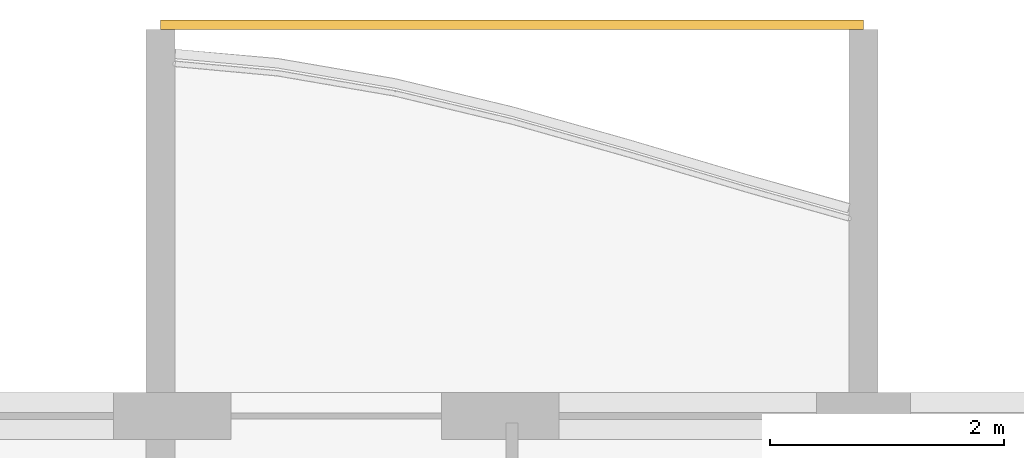
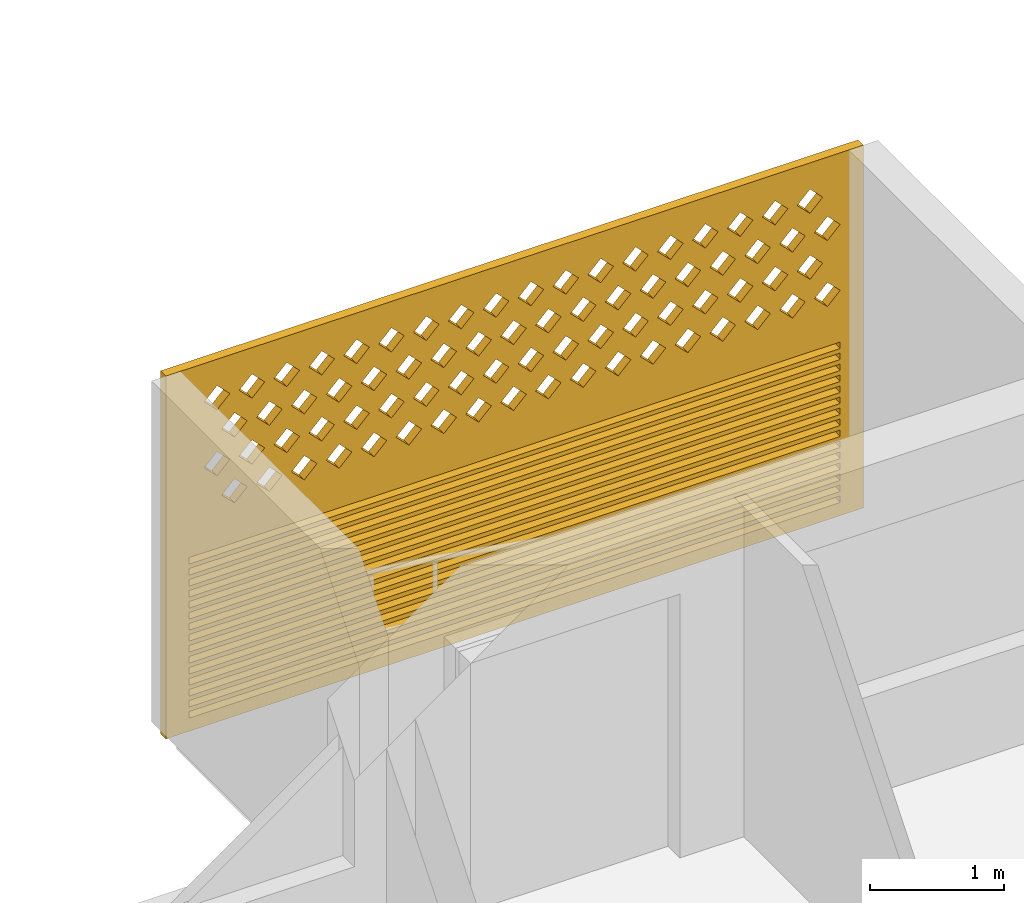
# One storey, part 25 of 27: 1 covering.
"""IFC4 building model written with IfcOpenShell, lengths in metres."""

from ifc_helpers import new_model, si_unit, direction, frame, origin, place, context, subcontext, project, spatial, polyline, outline, extrude, source, transform, mapped, material, material_profile, profile_set, type_object, element, save


model = new_model("IFC4")

# Units and contexts
model_context = context("Model", 3, precision=1e-05, world=origin(), true_north=direction((0.0, 1.0)))
body_context = subcontext(model_context, "Body", "Model", "MODEL_VIEW")
ifc_project = project(units=[si_unit("LENGTHUNIT", "METRE"), si_unit("AREAUNIT", "SQUARE_METRE"), si_unit("VOLUMEUNIT", "CUBIC_METRE"), si_unit("PLANEANGLEUNIT", "RADIAN"), si_unit("MASSUNIT", "GRAM", prefix="KILO")], contexts=[model_context])

# Site, building, storey
site_placement = place(None, origin())
site = spatial("IfcSite", under=ifc_project, at=site_placement, CompositionType="ELEMENT")
building_placement = place(site_placement, origin())
building = spatial("IfcBuilding", under=site, at=building_placement, Name="Poui Terraces", CompositionType="ELEMENT")
storey_placement = place(building_placement, frame((0.0, 0.0, 208.199951171875)))
storey = spatial("IfcBuildingStorey", under=building, at=storey_placement, Name="L58", CompositionType="ELEMENT", Elevation=208.199951171875)

# Covering
ifc_material = material(Name="Terracotta screen", Category="masonry")
ifc_material_profile = material_profile(ifc_material, outline(polyline([(-3.0, -1.64990234375), (3.0, -1.64990234375), (3.0, 1.64990234375), (-3.0, 1.64990234375), (-3.0, -1.64990234375)]), holes=[polyline([(-2.800048828125, 0.39990234375), (-2.68994140625, 0.2900390625), (-2.580078125, 0.39990234375), (-2.68994140625, 0.510009765625), (-2.800048828125, 0.39990234375)]), polyline([(-2.5, 0.39990234375), (-2.389892578125, 0.2900390625), (-2.280029296875, 0.39990234375), (-2.389892578125, 0.510009765625), (-2.5, 0.39990234375)]), polyline([(-2.199951171875, 0.39990234375), (-2.090087890625, 0.2900390625), (-1.97998046875, 0.39990234375), (-2.090087890625, 0.510009765625), (-2.199951171875, 0.39990234375)]), polyline([(-1.89990234375, 0.39990234375), (-1.7900390625, 0.2900390625), (-1.679931640625, 0.39990234375), (-1.7900390625, 0.510009765625), (-1.89990234375, 0.39990234375)]), polyline([(-1.60009765625, 0.39990234375), (-1.489990234375, 0.2900390625), (-1.3798828125, 0.39990234375), (-1.489990234375, 0.510009765625), (-1.60009765625, 0.39990234375)]), polyline([(-1.300048828125, 0.39990234375), (-1.18994140625, 0.2900390625), (-1.080078125, 0.39990234375), (-1.18994140625, 0.510009765625), (-1.300048828125, 0.39990234375)]), polyline([(-1.0, 0.39990234375), (-0.889892578125, 0.2900390625), (-0.780029296875, 0.39990234375), (-0.889892578125, 0.510009765625), (-1.0, 0.39990234375)]), polyline([(-0.699951171875, 0.39990234375), (-0.590087890625, 0.2900390625), (-0.47998046875, 0.39990234375), (-0.590087890625, 0.510009765625), (-0.699951171875, 0.39990234375)]), polyline([(-0.39990234375, 0.39990234375), (-0.2900390625, 0.2900390625), (-0.179931640625, 0.39990234375), (-0.2900390625, 0.510009765625), (-0.39990234375, 0.39990234375)]), polyline([(-0.10009765625, 0.39990234375), (0.010009765625, 0.2900390625), (0.1201171875, 0.39990234375), (0.010009765625, 0.510009765625), (-0.10009765625, 0.39990234375)]), polyline([(0.199951171875, 0.39990234375), (0.31005859375, 0.2900390625), (0.419921875, 0.39990234375), (0.31005859375, 0.510009765625), (0.199951171875, 0.39990234375)]), polyline([(0.5, 0.39990234375), (0.610107421875, 0.2900390625), (0.719970703125, 0.39990234375), (0.610107421875, 0.510009765625), (0.5, 0.39990234375)]), polyline([(0.800048828125, 0.39990234375), (0.909912109375, 0.2900390625), (1.02001953125, 0.39990234375), (0.909912109375, 0.510009765625), (0.800048828125, 0.39990234375)]), polyline([(1.10009765625, 0.39990234375), (1.2099609375, 0.2900390625), (1.320068359375, 0.39990234375), (1.2099609375, 0.510009765625), (1.10009765625, 0.39990234375)]), polyline([(1.39990234375, 0.39990234375), (1.510009765625, 0.2900390625), (1.6201171875, 0.39990234375), (1.510009765625, 0.510009765625), (1.39990234375, 0.39990234375)]), polyline([(1.699951171875, 0.39990234375), (1.81005859375, 0.2900390625), (1.919921875, 0.39990234375), (1.81005859375, 0.510009765625), (1.699951171875, 0.39990234375)]), polyline([(2.0, 0.39990234375), (2.110107421875, 0.2900390625), (2.219970703125, 0.39990234375), (2.110107421875, 0.510009765625), (2.0, 0.39990234375)]), polyline([(2.300048828125, 0.39990234375), (2.409912109375, 0.2900390625), (2.52001953125, 0.39990234375), (2.409912109375, 0.510009765625), (2.300048828125, 0.39990234375)]), polyline([(-2.64990234375, 0.699951171875), (-2.5400390625, 0.590087890625), (-2.429931640625, 0.699951171875), (-2.5400390625, 0.81005859375), (-2.64990234375, 0.699951171875)]), polyline([(-2.35009765625, 0.699951171875), (-2.239990234375, 0.590087890625), (-2.1298828125, 0.699951171875), (-2.239990234375, 0.81005859375), (-2.35009765625, 0.699951171875)]), polyline([(-2.050048828125, 0.699951171875), (-1.93994140625, 0.590087890625), (-1.830078125, 0.699951171875), (-1.93994140625, 0.81005859375), (-2.050048828125, 0.699951171875)]), polyline([(-1.75, 0.699951171875), (-1.639892578125, 0.590087890625), (-1.530029296875, 0.699951171875), (-1.639892578125, 0.81005859375), (-1.75, 0.699951171875)]), polyline([(-1.449951171875, 0.699951171875), (-1.340087890625, 0.590087890625), (-1.22998046875, 0.699951171875), (-1.340087890625, 0.81005859375), (-1.449951171875, 0.699951171875)]), polyline([(-1.14990234375, 0.699951171875), (-1.0400390625, 0.590087890625), (-0.929931640625, 0.699951171875), (-1.0400390625, 0.81005859375), (-1.14990234375, 0.699951171875)]), polyline([(-0.85009765625, 0.699951171875), (-0.739990234375, 0.590087890625), (-0.6298828125, 0.699951171875), (-0.739990234375, 0.81005859375), (-0.85009765625, 0.699951171875)]), polyline([(-0.550048828125, 0.699951171875), (-0.43994140625, 0.590087890625), (-0.330078125, 0.699951171875), (-0.43994140625, 0.81005859375), (-0.550048828125, 0.699951171875)]), polyline([(-0.25, 0.699951171875), (-0.139892578125, 0.590087890625), (-0.030029296875, 0.699951171875), (-0.139892578125, 0.81005859375), (-0.25, 0.699951171875)]), polyline([(0.050048828125, 0.699951171875), (0.159912109375, 0.590087890625), (0.27001953125, 0.699951171875), (0.159912109375, 0.81005859375), (0.050048828125, 0.699951171875)]), polyline([(0.35009765625, 0.699951171875), (0.4599609375, 0.590087890625), (0.570068359375, 0.699951171875), (0.4599609375, 0.81005859375), (0.35009765625, 0.699951171875)]), polyline([(0.64990234375, 0.699951171875), (0.760009765625, 0.590087890625), (0.8701171875, 0.699951171875), (0.760009765625, 0.81005859375), (0.64990234375, 0.699951171875)]), polyline([(0.949951171875, 0.699951171875), (1.06005859375, 0.590087890625), (1.169921875, 0.699951171875), (1.06005859375, 0.81005859375), (0.949951171875, 0.699951171875)]), polyline([(1.25, 0.699951171875), (1.360107421875, 0.590087890625), (1.469970703125, 0.699951171875), (1.360107421875, 0.81005859375), (1.25, 0.699951171875)]), polyline([(1.550048828125, 0.699951171875), (1.659912109375, 0.590087890625), (1.77001953125, 0.699951171875), (1.659912109375, 0.81005859375), (1.550048828125, 0.699951171875)]), polyline([(1.85009765625, 0.699951171875), (1.9599609375, 0.590087890625), (2.070068359375, 0.699951171875), (1.9599609375, 0.81005859375), (1.85009765625, 0.699951171875)]), polyline([(2.14990234375, 0.699951171875), (2.260009765625, 0.590087890625), (2.3701171875, 0.699951171875), (2.260009765625, 0.81005859375), (2.14990234375, 0.699951171875)]), polyline([(2.449951171875, 0.699951171875), (2.56005859375, 0.590087890625), (2.669921875, 0.699951171875), (2.56005859375, 0.81005859375), (2.449951171875, 0.699951171875)]), polyline([(-2.800048828125, 1.0), (-2.68994140625, 0.889892578125), (-2.580078125, 1.0), (-2.68994140625, 1.110107421875), (-2.800048828125, 1.0)]), polyline([(-2.5, 1.0), (-2.389892578125, 0.889892578125), (-2.280029296875, 1.0), (-2.389892578125, 1.110107421875), (-2.5, 1.0)]), polyline([(-2.199951171875, 1.0), (-2.090087890625, 0.889892578125), (-1.97998046875, 1.0), (-2.090087890625, 1.110107421875), (-2.199951171875, 1.0)]), polyline([(-1.89990234375, 1.0), (-1.7900390625, 0.889892578125), (-1.679931640625, 1.0), (-1.7900390625, 1.110107421875), (-1.89990234375, 1.0)]), polyline([(-1.60009765625, 1.0), (-1.489990234375, 0.889892578125), (-1.3798828125, 1.0), (-1.489990234375, 1.110107421875), (-1.60009765625, 1.0)]), polyline([(-1.300048828125, 1.0), (-1.18994140625, 0.889892578125), (-1.080078125, 1.0), (-1.18994140625, 1.110107421875), (-1.300048828125, 1.0)]), polyline([(-1.0, 1.0), (-0.889892578125, 0.889892578125), (-0.780029296875, 1.0), (-0.889892578125, 1.110107421875), (-1.0, 1.0)]), polyline([(-0.699951171875, 1.0), (-0.590087890625, 0.889892578125), (-0.47998046875, 1.0), (-0.590087890625, 1.110107421875), (-0.699951171875, 1.0)]), polyline([(-0.39990234375, 1.0), (-0.2900390625, 0.889892578125), (-0.179931640625, 1.0), (-0.2900390625, 1.110107421875), (-0.39990234375, 1.0)]), polyline([(-0.10009765625, 1.0), (0.010009765625, 0.889892578125), (0.1201171875, 1.0), (0.010009765625, 1.110107421875), (-0.10009765625, 1.0)]), polyline([(0.199951171875, 1.0), (0.31005859375, 0.889892578125), (0.419921875, 1.0), (0.31005859375, 1.110107421875), (0.199951171875, 1.0)]), polyline([(0.5, 1.0), (0.610107421875, 0.889892578125), (0.719970703125, 1.0), (0.610107421875, 1.110107421875), (0.5, 1.0)]), polyline([(0.800048828125, 1.0), (0.909912109375, 0.889892578125), (1.02001953125, 1.0), (0.909912109375, 1.110107421875), (0.800048828125, 1.0)]), polyline([(1.10009765625, 1.0), (1.2099609375, 0.889892578125), (1.320068359375, 1.0), (1.2099609375, 1.110107421875), (1.10009765625, 1.0)]), polyline([(1.39990234375, 1.0), (1.510009765625, 0.889892578125), (1.6201171875, 1.0), (1.510009765625, 1.110107421875), (1.39990234375, 1.0)]), polyline([(1.699951171875, 1.0), (1.81005859375, 0.889892578125), (1.919921875, 1.0), (1.81005859375, 1.110107421875), (1.699951171875, 1.0)]), polyline([(2.0, 1.0), (2.110107421875, 0.889892578125), (2.219970703125, 1.0), (2.110107421875, 1.110107421875), (2.0, 1.0)]), polyline([(2.300048828125, 1.0), (2.409912109375, 0.889892578125), (2.52001953125, 1.0), (2.409912109375, 1.110107421875), (2.300048828125, 1.0)]), polyline([(-2.64990234375, 1.300048828125), (-2.5400390625, 1.18994140625), (-2.429931640625, 1.300048828125), (-2.5400390625, 1.409912109375), (-2.64990234375, 1.300048828125)]), polyline([(-2.35009765625, 1.300048828125), (-2.239990234375, 1.18994140625), (-2.1298828125, 1.300048828125), (-2.239990234375, 1.409912109375), (-2.35009765625, 1.300048828125)]), polyline([(-2.050048828125, 1.300048828125), (-1.93994140625, 1.18994140625), (-1.830078125, 1.300048828125), (-1.93994140625, 1.409912109375), (-2.050048828125, 1.300048828125)]), polyline([(-1.75, 1.300048828125), (-1.639892578125, 1.18994140625), (-1.530029296875, 1.300048828125), (-1.639892578125, 1.409912109375), (-1.75, 1.300048828125)]), polyline([(-1.449951171875, 1.300048828125), (-1.340087890625, 1.18994140625), (-1.22998046875, 1.300048828125), (-1.340087890625, 1.409912109375), (-1.449951171875, 1.300048828125)]), polyline([(-1.14990234375, 1.300048828125), (-1.0400390625, 1.18994140625), (-0.929931640625, 1.300048828125), (-1.0400390625, 1.409912109375), (-1.14990234375, 1.300048828125)]), polyline([(-0.85009765625, 1.300048828125), (-0.739990234375, 1.18994140625), (-0.6298828125, 1.300048828125), (-0.739990234375, 1.409912109375), (-0.85009765625, 1.300048828125)]), polyline([(-0.550048828125, 1.300048828125), (-0.43994140625, 1.18994140625), (-0.330078125, 1.300048828125), (-0.43994140625, 1.409912109375), (-0.550048828125, 1.300048828125)]), polyline([(-0.25, 1.300048828125), (-0.139892578125, 1.18994140625), (-0.030029296875, 1.300048828125), (-0.139892578125, 1.409912109375), (-0.25, 1.300048828125)]), polyline([(0.050048828125, 1.300048828125), (0.159912109375, 1.18994140625), (0.27001953125, 1.300048828125), (0.159912109375, 1.409912109375), (0.050048828125, 1.300048828125)]), polyline([(0.35009765625, 1.300048828125), (0.4599609375, 1.18994140625), (0.570068359375, 1.300048828125), (0.4599609375, 1.409912109375), (0.35009765625, 1.300048828125)]), polyline([(0.64990234375, 1.300048828125), (0.760009765625, 1.18994140625), (0.8701171875, 1.300048828125), (0.760009765625, 1.409912109375), (0.64990234375, 1.300048828125)]), polyline([(0.949951171875, 1.300048828125), (1.06005859375, 1.18994140625), (1.169921875, 1.300048828125), (1.06005859375, 1.409912109375), (0.949951171875, 1.300048828125)]), polyline([(1.25, 1.300048828125), (1.360107421875, 1.18994140625), (1.469970703125, 1.300048828125), (1.360107421875, 1.409912109375), (1.25, 1.300048828125)]), polyline([(1.550048828125, 1.300048828125), (1.659912109375, 1.18994140625), (1.77001953125, 1.300048828125), (1.659912109375, 1.409912109375), (1.550048828125, 1.300048828125)]), polyline([(1.85009765625, 1.300048828125), (1.9599609375, 1.18994140625), (2.070068359375, 1.300048828125), (1.9599609375, 1.409912109375), (1.85009765625, 1.300048828125)]), polyline([(2.14990234375, 1.300048828125), (2.260009765625, 1.18994140625), (2.3701171875, 1.300048828125), (2.260009765625, 1.409912109375), (2.14990234375, 1.300048828125)]), polyline([(2.449951171875, 1.300048828125), (2.56005859375, 1.18994140625), (2.669921875, 1.300048828125), (2.56005859375, 1.409912109375), (2.449951171875, 1.300048828125)]), polyline([(-2.800048828125, -1.530029296875), (2.800048828125, -1.530029296875), (2.800048828125, -1.469970703125), (-2.800048828125, -1.469970703125), (-2.800048828125, -1.530029296875)]), polyline([(-2.800048828125, -1.429931640625), (2.800048828125, -1.429931640625), (2.800048828125, -1.3701171875), (-2.800048828125, -1.3701171875), (-2.800048828125, -1.429931640625)]), polyline([(-2.800048828125, -1.330078125), (2.800048828125, -1.330078125), (2.800048828125, -1.27001953125), (-2.800048828125, -1.27001953125), (-2.800048828125, -1.330078125)]), polyline([(-2.800048828125, -1.22998046875), (2.800048828125, -1.22998046875), (2.800048828125, -1.169921875), (-2.800048828125, -1.169921875), (-2.800048828125, -1.22998046875)]), polyline([(-2.800048828125, -1.1298828125), (2.800048828125, -1.1298828125), (2.800048828125, -1.070068359375), (-2.800048828125, -1.070068359375), (-2.800048828125, -1.1298828125)]), polyline([(-2.800048828125, -1.030029296875), (2.800048828125, -1.030029296875), (2.800048828125, -0.969970703125), (-2.800048828125, -0.969970703125), (-2.800048828125, -1.030029296875)]), polyline([(-2.800048828125, -0.929931640625), (2.800048828125, -0.929931640625), (2.800048828125, -0.8701171875), (-2.800048828125, -0.8701171875), (-2.800048828125, -0.929931640625)]), polyline([(-2.800048828125, -0.830078125), (2.800048828125, -0.830078125), (2.800048828125, -0.77001953125), (-2.800048828125, -0.77001953125), (-2.800048828125, -0.830078125)]), polyline([(-2.800048828125, -0.72998046875), (2.800048828125, -0.72998046875), (2.800048828125, -0.669921875), (-2.800048828125, -0.669921875), (-2.800048828125, -0.72998046875)]), polyline([(-2.800048828125, -0.6298828125), (2.800048828125, -0.6298828125), (2.800048828125, -0.570068359375), (-2.800048828125, -0.570068359375), (-2.800048828125, -0.6298828125)]), polyline([(-2.800048828125, -0.530029296875), (2.800048828125, -0.530029296875), (2.800048828125, -0.469970703125), (-2.800048828125, -0.469970703125), (-2.800048828125, -0.530029296875)]), polyline([(-2.800048828125, -0.429931640625), (2.800048828125, -0.429931640625), (2.800048828125, -0.3701171875), (-2.800048828125, -0.3701171875), (-2.800048828125, -0.429931640625)]), polyline([(-2.800048828125, -0.330078125), (2.800048828125, -0.330078125), (2.800048828125, -0.27001953125), (-2.800048828125, -0.27001953125), (-2.800048828125, -0.330078125)]), polyline([(-2.800048828125, -0.22998046875), (2.800048828125, -0.22998046875), (2.800048828125, -0.169921875), (-2.800048828125, -0.169921875), (-2.800048828125, -0.22998046875)]), polyline([(-2.800048828125, -0.1298828125), (2.800048828125, -0.1298828125), (2.800048828125, -0.070068359375), (-2.800048828125, -0.070068359375), (-2.800048828125, -0.1298828125)])]), Name="TERRACOTTA SCREEN AND JALOUSIE LOUVRE 6000X3300")
ifc_profile_set = profile_set([ifc_material_profile], Name="Terracotta screen")
covering_type = type_object("IfcCoveringType", Name="TERRACOTTA SCREEN AND JALOUSIE LOUVRE 6000X3300", PredefinedType="CLADDING", material=ifc_profile_set)
shared_shape = source(origin(), body_context, "Body", "SweptSolid", [
    extrude(outline(polyline([(-3.0, -1.64990234375), (3.0, -1.64990234375), (3.0, 1.64990234375), (-3.0, 1.64990234375), (-3.0, -1.64990234375)]), holes=[polyline([(-2.800048828125, 0.39990234375), (-2.68994140625, 0.2900390625), (-2.580078125, 0.39990234375), (-2.68994140625, 0.510009765625), (-2.800048828125, 0.39990234375)]), polyline([(-2.5, 0.39990234375), (-2.389892578125, 0.2900390625), (-2.280029296875, 0.39990234375), (-2.389892578125, 0.510009765625), (-2.5, 0.39990234375)]), polyline([(-2.199951171875, 0.39990234375), (-2.090087890625, 0.2900390625), (-1.97998046875, 0.39990234375), (-2.090087890625, 0.510009765625), (-2.199951171875, 0.39990234375)]), polyline([(-1.89990234375, 0.39990234375), (-1.7900390625, 0.2900390625), (-1.679931640625, 0.39990234375), (-1.7900390625, 0.510009765625), (-1.89990234375, 0.39990234375)]), polyline([(-1.60009765625, 0.39990234375), (-1.489990234375, 0.2900390625), (-1.3798828125, 0.39990234375), (-1.489990234375, 0.510009765625), (-1.60009765625, 0.39990234375)]), polyline([(-1.300048828125, 0.39990234375), (-1.18994140625, 0.2900390625), (-1.080078125, 0.39990234375), (-1.18994140625, 0.510009765625), (-1.300048828125, 0.39990234375)]), polyline([(-1.0, 0.39990234375), (-0.889892578125, 0.2900390625), (-0.780029296875, 0.39990234375), (-0.889892578125, 0.510009765625), (-1.0, 0.39990234375)]), polyline([(-0.699951171875, 0.39990234375), (-0.590087890625, 0.2900390625), (-0.47998046875, 0.39990234375), (-0.590087890625, 0.510009765625), (-0.699951171875, 0.39990234375)]), polyline([(-0.39990234375, 0.39990234375), (-0.2900390625, 0.2900390625), (-0.179931640625, 0.39990234375), (-0.2900390625, 0.510009765625), (-0.39990234375, 0.39990234375)]), polyline([(-0.10009765625, 0.39990234375), (0.010009765625, 0.2900390625), (0.1201171875, 0.39990234375), (0.010009765625, 0.510009765625), (-0.10009765625, 0.39990234375)]), polyline([(0.199951171875, 0.39990234375), (0.31005859375, 0.2900390625), (0.419921875, 0.39990234375), (0.31005859375, 0.510009765625), (0.199951171875, 0.39990234375)]), polyline([(0.5, 0.39990234375), (0.610107421875, 0.2900390625), (0.719970703125, 0.39990234375), (0.610107421875, 0.510009765625), (0.5, 0.39990234375)]), polyline([(0.800048828125, 0.39990234375), (0.909912109375, 0.2900390625), (1.02001953125, 0.39990234375), (0.909912109375, 0.510009765625), (0.800048828125, 0.39990234375)]), polyline([(1.10009765625, 0.39990234375), (1.2099609375, 0.2900390625), (1.320068359375, 0.39990234375), (1.2099609375, 0.510009765625), (1.10009765625, 0.39990234375)]), polyline([(1.39990234375, 0.39990234375), (1.510009765625, 0.2900390625), (1.6201171875, 0.39990234375), (1.510009765625, 0.510009765625), (1.39990234375, 0.39990234375)]), polyline([(1.699951171875, 0.39990234375), (1.81005859375, 0.2900390625), (1.919921875, 0.39990234375), (1.81005859375, 0.510009765625), (1.699951171875, 0.39990234375)]), polyline([(2.0, 0.39990234375), (2.110107421875, 0.2900390625), (2.219970703125, 0.39990234375), (2.110107421875, 0.510009765625), (2.0, 0.39990234375)]), polyline([(2.300048828125, 0.39990234375), (2.409912109375, 0.2900390625), (2.52001953125, 0.39990234375), (2.409912109375, 0.510009765625), (2.300048828125, 0.39990234375)]), polyline([(-2.64990234375, 0.699951171875), (-2.5400390625, 0.590087890625), (-2.429931640625, 0.699951171875), (-2.5400390625, 0.81005859375), (-2.64990234375, 0.699951171875)]), polyline([(-2.35009765625, 0.699951171875), (-2.239990234375, 0.590087890625), (-2.1298828125, 0.699951171875), (-2.239990234375, 0.81005859375), (-2.35009765625, 0.699951171875)]), polyline([(-2.050048828125, 0.699951171875), (-1.93994140625, 0.590087890625), (-1.830078125, 0.699951171875), (-1.93994140625, 0.81005859375), (-2.050048828125, 0.699951171875)]), polyline([(-1.75, 0.699951171875), (-1.639892578125, 0.590087890625), (-1.530029296875, 0.699951171875), (-1.639892578125, 0.81005859375), (-1.75, 0.699951171875)]), polyline([(-1.449951171875, 0.699951171875), (-1.340087890625, 0.590087890625), (-1.22998046875, 0.699951171875), (-1.340087890625, 0.81005859375), (-1.449951171875, 0.699951171875)]), polyline([(-1.14990234375, 0.699951171875), (-1.0400390625, 0.590087890625), (-0.929931640625, 0.699951171875), (-1.0400390625, 0.81005859375), (-1.14990234375, 0.699951171875)]), polyline([(-0.85009765625, 0.699951171875), (-0.739990234375, 0.590087890625), (-0.6298828125, 0.699951171875), (-0.739990234375, 0.81005859375), (-0.85009765625, 0.699951171875)]), polyline([(-0.550048828125, 0.699951171875), (-0.43994140625, 0.590087890625), (-0.330078125, 0.699951171875), (-0.43994140625, 0.81005859375), (-0.550048828125, 0.699951171875)]), polyline([(-0.25, 0.699951171875), (-0.139892578125, 0.590087890625), (-0.030029296875, 0.699951171875), (-0.139892578125, 0.81005859375), (-0.25, 0.699951171875)]), polyline([(0.050048828125, 0.699951171875), (0.159912109375, 0.590087890625), (0.27001953125, 0.699951171875), (0.159912109375, 0.81005859375), (0.050048828125, 0.699951171875)]), polyline([(0.35009765625, 0.699951171875), (0.4599609375, 0.590087890625), (0.570068359375, 0.699951171875), (0.4599609375, 0.81005859375), (0.35009765625, 0.699951171875)]), polyline([(0.64990234375, 0.699951171875), (0.760009765625, 0.590087890625), (0.8701171875, 0.699951171875), (0.760009765625, 0.81005859375), (0.64990234375, 0.699951171875)]), polyline([(0.949951171875, 0.699951171875), (1.06005859375, 0.590087890625), (1.169921875, 0.699951171875), (1.06005859375, 0.81005859375), (0.949951171875, 0.699951171875)]), polyline([(1.25, 0.699951171875), (1.360107421875, 0.590087890625), (1.469970703125, 0.699951171875), (1.360107421875, 0.81005859375), (1.25, 0.699951171875)]), polyline([(1.550048828125, 0.699951171875), (1.659912109375, 0.590087890625), (1.77001953125, 0.699951171875), (1.659912109375, 0.81005859375), (1.550048828125, 0.699951171875)]), polyline([(1.85009765625, 0.699951171875), (1.9599609375, 0.590087890625), (2.070068359375, 0.699951171875), (1.9599609375, 0.81005859375), (1.85009765625, 0.699951171875)]), polyline([(2.14990234375, 0.699951171875), (2.260009765625, 0.590087890625), (2.3701171875, 0.699951171875), (2.260009765625, 0.81005859375), (2.14990234375, 0.699951171875)]), polyline([(2.449951171875, 0.699951171875), (2.56005859375, 0.590087890625), (2.669921875, 0.699951171875), (2.56005859375, 0.81005859375), (2.449951171875, 0.699951171875)]), polyline([(-2.800048828125, 1.0), (-2.68994140625, 0.889892578125), (-2.580078125, 1.0), (-2.68994140625, 1.110107421875), (-2.800048828125, 1.0)]), polyline([(-2.5, 1.0), (-2.389892578125, 0.889892578125), (-2.280029296875, 1.0), (-2.389892578125, 1.110107421875), (-2.5, 1.0)]), polyline([(-2.199951171875, 1.0), (-2.090087890625, 0.889892578125), (-1.97998046875, 1.0), (-2.090087890625, 1.110107421875), (-2.199951171875, 1.0)]), polyline([(-1.89990234375, 1.0), (-1.7900390625, 0.889892578125), (-1.679931640625, 1.0), (-1.7900390625, 1.110107421875), (-1.89990234375, 1.0)]), polyline([(-1.60009765625, 1.0), (-1.489990234375, 0.889892578125), (-1.3798828125, 1.0), (-1.489990234375, 1.110107421875), (-1.60009765625, 1.0)]), polyline([(-1.300048828125, 1.0), (-1.18994140625, 0.889892578125), (-1.080078125, 1.0), (-1.18994140625, 1.110107421875), (-1.300048828125, 1.0)]), polyline([(-1.0, 1.0), (-0.889892578125, 0.889892578125), (-0.780029296875, 1.0), (-0.889892578125, 1.110107421875), (-1.0, 1.0)]), polyline([(-0.699951171875, 1.0), (-0.590087890625, 0.889892578125), (-0.47998046875, 1.0), (-0.590087890625, 1.110107421875), (-0.699951171875, 1.0)]), polyline([(-0.39990234375, 1.0), (-0.2900390625, 0.889892578125), (-0.179931640625, 1.0), (-0.2900390625, 1.110107421875), (-0.39990234375, 1.0)]), polyline([(-0.10009765625, 1.0), (0.010009765625, 0.889892578125), (0.1201171875, 1.0), (0.010009765625, 1.110107421875), (-0.10009765625, 1.0)]), polyline([(0.199951171875, 1.0), (0.31005859375, 0.889892578125), (0.419921875, 1.0), (0.31005859375, 1.110107421875), (0.199951171875, 1.0)]), polyline([(0.5, 1.0), (0.610107421875, 0.889892578125), (0.719970703125, 1.0), (0.610107421875, 1.110107421875), (0.5, 1.0)]), polyline([(0.800048828125, 1.0), (0.909912109375, 0.889892578125), (1.02001953125, 1.0), (0.909912109375, 1.110107421875), (0.800048828125, 1.0)]), polyline([(1.10009765625, 1.0), (1.2099609375, 0.889892578125), (1.320068359375, 1.0), (1.2099609375, 1.110107421875), (1.10009765625, 1.0)]), polyline([(1.39990234375, 1.0), (1.510009765625, 0.889892578125), (1.6201171875, 1.0), (1.510009765625, 1.110107421875), (1.39990234375, 1.0)]), polyline([(1.699951171875, 1.0), (1.81005859375, 0.889892578125), (1.919921875, 1.0), (1.81005859375, 1.110107421875), (1.699951171875, 1.0)]), polyline([(2.0, 1.0), (2.110107421875, 0.889892578125), (2.219970703125, 1.0), (2.110107421875, 1.110107421875), (2.0, 1.0)]), polyline([(2.300048828125, 1.0), (2.409912109375, 0.889892578125), (2.52001953125, 1.0), (2.409912109375, 1.110107421875), (2.300048828125, 1.0)]), polyline([(-2.64990234375, 1.300048828125), (-2.5400390625, 1.18994140625), (-2.429931640625, 1.300048828125), (-2.5400390625, 1.409912109375), (-2.64990234375, 1.300048828125)]), polyline([(-2.35009765625, 1.300048828125), (-2.239990234375, 1.18994140625), (-2.1298828125, 1.300048828125), (-2.239990234375, 1.409912109375), (-2.35009765625, 1.300048828125)]), polyline([(-2.050048828125, 1.300048828125), (-1.93994140625, 1.18994140625), (-1.830078125, 1.300048828125), (-1.93994140625, 1.409912109375), (-2.050048828125, 1.300048828125)]), polyline([(-1.75, 1.300048828125), (-1.639892578125, 1.18994140625), (-1.530029296875, 1.300048828125), (-1.639892578125, 1.409912109375), (-1.75, 1.300048828125)]), polyline([(-1.449951171875, 1.300048828125), (-1.340087890625, 1.18994140625), (-1.22998046875, 1.300048828125), (-1.340087890625, 1.409912109375), (-1.449951171875, 1.300048828125)]), polyline([(-1.14990234375, 1.300048828125), (-1.0400390625, 1.18994140625), (-0.929931640625, 1.300048828125), (-1.0400390625, 1.409912109375), (-1.14990234375, 1.300048828125)]), polyline([(-0.85009765625, 1.300048828125), (-0.739990234375, 1.18994140625), (-0.6298828125, 1.300048828125), (-0.739990234375, 1.409912109375), (-0.85009765625, 1.300048828125)]), polyline([(-0.550048828125, 1.300048828125), (-0.43994140625, 1.18994140625), (-0.330078125, 1.300048828125), (-0.43994140625, 1.409912109375), (-0.550048828125, 1.300048828125)]), polyline([(-0.25, 1.300048828125), (-0.139892578125, 1.18994140625), (-0.030029296875, 1.300048828125), (-0.139892578125, 1.409912109375), (-0.25, 1.300048828125)]), polyline([(0.050048828125, 1.300048828125), (0.159912109375, 1.18994140625), (0.27001953125, 1.300048828125), (0.159912109375, 1.409912109375), (0.050048828125, 1.300048828125)]), polyline([(0.35009765625, 1.300048828125), (0.4599609375, 1.18994140625), (0.570068359375, 1.300048828125), (0.4599609375, 1.409912109375), (0.35009765625, 1.300048828125)]), polyline([(0.64990234375, 1.300048828125), (0.760009765625, 1.18994140625), (0.8701171875, 1.300048828125), (0.760009765625, 1.409912109375), (0.64990234375, 1.300048828125)]), polyline([(0.949951171875, 1.300048828125), (1.06005859375, 1.18994140625), (1.169921875, 1.300048828125), (1.06005859375, 1.409912109375), (0.949951171875, 1.300048828125)]), polyline([(1.25, 1.300048828125), (1.360107421875, 1.18994140625), (1.469970703125, 1.300048828125), (1.360107421875, 1.409912109375), (1.25, 1.300048828125)]), polyline([(1.550048828125, 1.300048828125), (1.659912109375, 1.18994140625), (1.77001953125, 1.300048828125), (1.659912109375, 1.409912109375), (1.550048828125, 1.300048828125)]), polyline([(1.85009765625, 1.300048828125), (1.9599609375, 1.18994140625), (2.070068359375, 1.300048828125), (1.9599609375, 1.409912109375), (1.85009765625, 1.300048828125)]), polyline([(2.14990234375, 1.300048828125), (2.260009765625, 1.18994140625), (2.3701171875, 1.300048828125), (2.260009765625, 1.409912109375), (2.14990234375, 1.300048828125)]), polyline([(2.449951171875, 1.300048828125), (2.56005859375, 1.18994140625), (2.669921875, 1.300048828125), (2.56005859375, 1.409912109375), (2.449951171875, 1.300048828125)]), polyline([(-2.800048828125, -1.530029296875), (2.800048828125, -1.530029296875), (2.800048828125, -1.469970703125), (-2.800048828125, -1.469970703125), (-2.800048828125, -1.530029296875)]), polyline([(-2.800048828125, -1.429931640625), (2.800048828125, -1.429931640625), (2.800048828125, -1.3701171875), (-2.800048828125, -1.3701171875), (-2.800048828125, -1.429931640625)]), polyline([(-2.800048828125, -1.330078125), (2.800048828125, -1.330078125), (2.800048828125, -1.27001953125), (-2.800048828125, -1.27001953125), (-2.800048828125, -1.330078125)]), polyline([(-2.800048828125, -1.22998046875), (2.800048828125, -1.22998046875), (2.800048828125, -1.169921875), (-2.800048828125, -1.169921875), (-2.800048828125, -1.22998046875)]), polyline([(-2.800048828125, -1.1298828125), (2.800048828125, -1.1298828125), (2.800048828125, -1.070068359375), (-2.800048828125, -1.070068359375), (-2.800048828125, -1.1298828125)]), polyline([(-2.800048828125, -1.030029296875), (2.800048828125, -1.030029296875), (2.800048828125, -0.969970703125), (-2.800048828125, -0.969970703125), (-2.800048828125, -1.030029296875)]), polyline([(-2.800048828125, -0.929931640625), (2.800048828125, -0.929931640625), (2.800048828125, -0.8701171875), (-2.800048828125, -0.8701171875), (-2.800048828125, -0.929931640625)]), polyline([(-2.800048828125, -0.830078125), (2.800048828125, -0.830078125), (2.800048828125, -0.77001953125), (-2.800048828125, -0.77001953125), (-2.800048828125, -0.830078125)]), polyline([(-2.800048828125, -0.72998046875), (2.800048828125, -0.72998046875), (2.800048828125, -0.669921875), (-2.800048828125, -0.669921875), (-2.800048828125, -0.72998046875)]), polyline([(-2.800048828125, -0.6298828125), (2.800048828125, -0.6298828125), (2.800048828125, -0.570068359375), (-2.800048828125, -0.570068359375), (-2.800048828125, -0.6298828125)]), polyline([(-2.800048828125, -0.530029296875), (2.800048828125, -0.530029296875), (2.800048828125, -0.469970703125), (-2.800048828125, -0.469970703125), (-2.800048828125, -0.530029296875)]), polyline([(-2.800048828125, -0.429931640625), (2.800048828125, -0.429931640625), (2.800048828125, -0.3701171875), (-2.800048828125, -0.3701171875), (-2.800048828125, -0.429931640625)]), polyline([(-2.800048828125, -0.330078125), (2.800048828125, -0.330078125), (2.800048828125, -0.27001953125), (-2.800048828125, -0.27001953125), (-2.800048828125, -0.330078125)]), polyline([(-2.800048828125, -0.22998046875), (2.800048828125, -0.22998046875), (2.800048828125, -0.169921875), (-2.800048828125, -0.169921875), (-2.800048828125, -0.22998046875)]), polyline([(-2.800048828125, -0.1298828125), (2.800048828125, -0.1298828125), (2.800048828125, -0.070068359375), (-2.800048828125, -0.070068359375), (-2.800048828125, -0.1298828125)])]), origin(), (0.0, 0.0, 1.0), 0.080078125),
])
covering_placement = place(storey_placement, frame((63.0, 44.5, 1.449951171875), z_axis=(0.0, 1.0, 0.0), x_axis=(-1.0, 0.0, 0.0)))
element("IfcCovering", 1, at=covering_placement, inside=storey, type_object=covering_type, Name="SOLAR SCREEN AND JALOUSIE LOUVRE", PredefinedType="CLADDING", context=body_context, shape_type="MappedRepresentation", body=[
    mapped(shared_shape, transform((0.0, 0.0, 0.0))),
])

save(model, "model.ifc")
